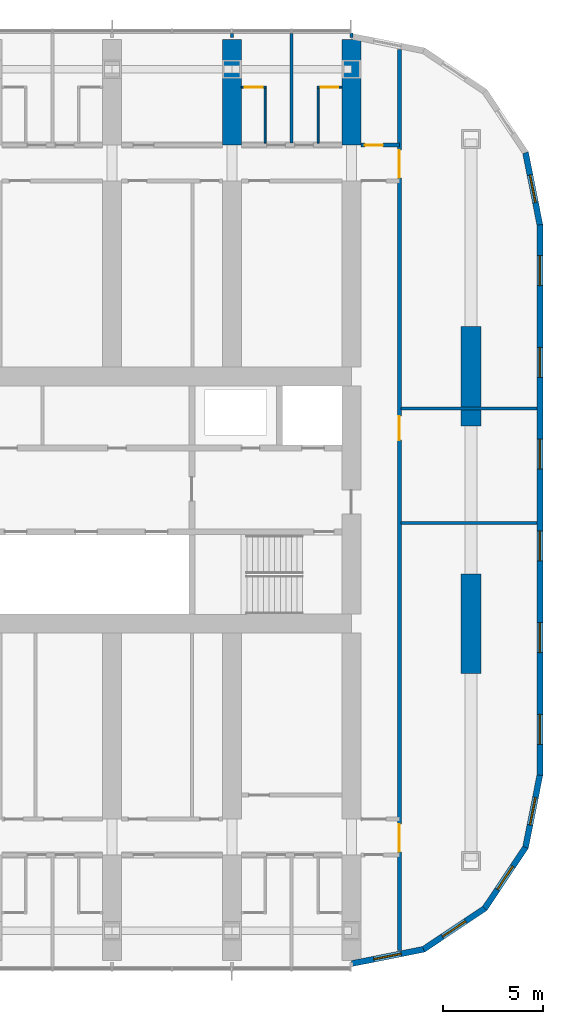
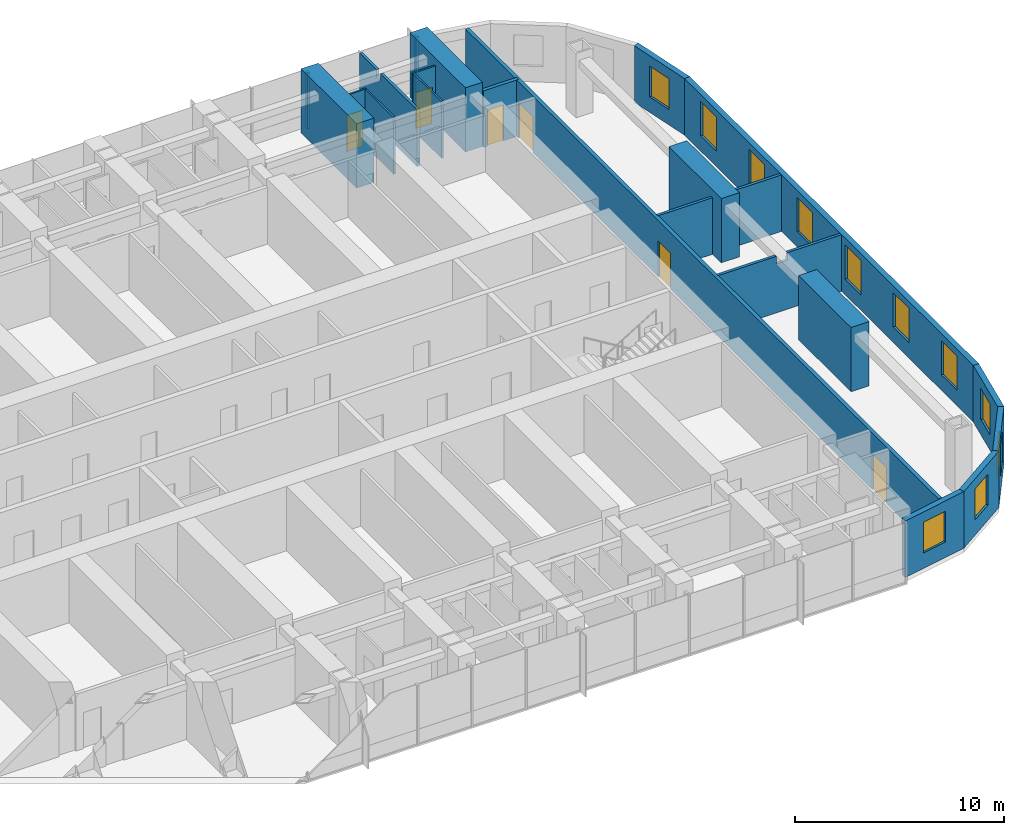
# One storey, part 15 of 21: 21 walls, 11 windows, 6 doors, 17 openings.
"""IFC4 building model written with IfcOpenShell, lengths in metres."""

from ifc_helpers import new_model, si_unit, direction, frame, frame_2d, origin, place, context, subcontext, project, spatial, polyline, rectangle, outline, extrude, material, layer, layer_set, type_object, element, fill, save


model = new_model("IFC4")

# Units and contexts
model_context = context("Model", 3, precision=1e-05, world=origin(), true_north=direction((0.0, 1.0)))
body_context = subcontext(model_context, "Body", "Model", "MODEL_VIEW")
ifc_project = project(units=[si_unit("LENGTHUNIT", "METRE"), si_unit("AREAUNIT", "SQUARE_METRE"), si_unit("VOLUMEUNIT", "CUBIC_METRE"), si_unit("PLANEANGLEUNIT", "RADIAN"), si_unit("MASSUNIT", "GRAM", prefix="KILO")], contexts=[model_context])

# Site, building, storey
site_placement = place(None, origin())
site = spatial("IfcSite", under=ifc_project, at=site_placement, CompositionType="ELEMENT")
building_placement = place(site_placement, origin())
building = spatial("IfcBuilding", under=site, at=building_placement, Name="Orbita Commons", CompositionType="ELEMENT")
storey_placement = place(building_placement, frame((0.0, 0.0, 110.64990234375)))
storey = spatial("IfcBuildingStorey", under=building, at=storey_placement, Name="L27", CompositionType="ELEMENT", Elevation=110.64990234375)

# Wall, opening, door
ifc_material_1 = material(Name="Concrete blockwork", Category="masonry")
ifc_layer_1 = layer(ifc_material_1, 0.199951171875)
ifc_layer_set_1 = layer_set([ifc_layer_1], Name="Concrete blockwork")
wall_type_1 = type_object("IfcWallType", Name="Corridor wall 200 blockwork", PredefinedType="SOLIDWALL", material=ifc_layer_set_1)
wall_1_placement = place(storey_placement, frame((66.47509765625, 49.800048828125, 0.0), z_axis=(0.0, 0.0, 1.0), x_axis=(1.0, 0.0, 0.0)))
wall_1 = element("IfcWall", 1, at=wall_1_placement, inside=storey, type_object=wall_type_1, Name="Corridor wall 200 blockwork L27", PredefinedType="SOLIDWALL", context=body_context, shape_type="SweptSolid", body=[
    extrude(rectangle(XDim=1.9248046875, YDim=0.199951171875, at=frame_2d((0.96240234375, 0.0))), origin(), (0.0, 0.0, 1.0), 3.300048828125),
])
opening_1_placement = place(wall_1_placement, frame((0.199951171875, 0.0, 0.0)))
opening_1 = element("IfcOpeningElement", 2, at=opening_1_placement, cuts=wall_1, Name="Opening D05", PredefinedType="OPENING", context=body_context, shape_type="SweptSolid", body=[
    extrude(rectangle(XDim=0.89990234375, YDim=2.10009765625, at=frame_2d((0.449951171875, 1.050048828125))), frame((0.0, 0.10986328125, 0.0), z_axis=(0.0, -1.0, 0.0), x_axis=(1.0, 0.0, 0.0)), (0.0, 0.0, 1.0), 0.219970703125),
])
ifc_material_2 = material(Name="Steel-faced fire door leaf", Category="steel")
door_type_1 = type_object("IfcDoorType", Name="Service door 20 min 900x2100", OperationType="SINGLE_SWING_LEFT", PredefinedType="DOOR", material=ifc_material_2)
door_1_placement = place(opening_1_placement, origin())
door_1 = element("IfcDoor", 3, at=door_1_placement, inside=storey, type_object=door_type_1, Name="Linen store L27-KEN door", OperationType="SINGLE_SWING_LEFT", OverallHeight=2.10009765625, OverallWidth=0.89990234375, PredefinedType="DOOR", context=body_context, shape_type="SweptSolid", body=[
    extrude(rectangle(XDim=0.89990234375, YDim=2.10009765625, at=frame_2d((0.449951171875, 1.050048828125))), frame((0.0, 0.02490234375, 0.0), z_axis=(0.0, -1.0, 0.0), x_axis=(1.0, 0.0, 0.0)), (0.0, 0.0, 1.0), 0.050048828125),
])
fill(opening_1, door_1)

# Wall, openings, doors
wall_2_placement = place(storey_placement, frame((68.39990234375, 9.4052734375, 0.0), z_axis=(0.0, 0.0, 1.0), x_axis=(0.0, 1.0, 0.0)))
wall_2 = element("IfcWall", 4, at=wall_2_placement, inside=storey, type_object=wall_type_1, Name="Corridor wall 200 blockwork L27", PredefinedType="SOLIDWALL", context=body_context, shape_type="SweptSolid", body=[
    extrude(rectangle(XDim=45.189453125, YDim=0.199951171875, at=frame_2d((22.5947265625, 0.0))), origin(), (0.0, 0.0, 1.0), 3.300048828125),
])
opening_2_placement = place(wall_2_placement, frame((25.5947265625, 0.0, 0.0)))
opening_2 = element("IfcOpeningElement", 5, at=opening_2_placement, cuts=wall_2, Name="Opening D15", PredefinedType="OPENING", context=body_context, shape_type="SweptSolid", body=[
    extrude(rectangle(XDim=1.199951171875, YDim=2.10009765625, at=frame_2d((0.60009765625, 1.050048828125))), frame((0.0, 0.10986328125, 0.0), z_axis=(0.0, -1.0, 0.0), x_axis=(1.0, 0.0, 0.0)), (0.0, 0.0, 1.0), 0.219970703125),
])
opening_3_placement = place(wall_2_placement, frame((4.94482421875, 0.0, 0.0)))
opening_3 = element("IfcOpeningElement", 6, at=opening_3_placement, cuts=wall_2, Name="Opening D08", PredefinedType="OPENING", context=body_context, shape_type="SweptSolid", body=[
    extrude(rectangle(XDim=1.39990234375, YDim=2.10009765625, at=frame_2d((0.699951171875, 1.050048828125))), frame((0.0, 0.10986328125, 0.0), z_axis=(0.0, -1.0, 0.0), x_axis=(1.0, 0.0, 0.0)), (0.0, 0.0, 1.0), 0.219970703125),
])
opening_4_placement = place(wall_2_placement, frame((38.74462890625, 0.0, 0.0)))
opening_4 = element("IfcOpeningElement", 7, at=opening_4_placement, cuts=wall_2, Name="Opening D08", PredefinedType="OPENING", context=body_context, shape_type="SweptSolid", body=[
    extrude(rectangle(XDim=1.39990234375, YDim=2.10009765625, at=frame_2d((0.699951171875, 1.050048828125))), frame((0.0, 0.10986328125, 0.0), z_axis=(0.0, -1.0, 0.0), x_axis=(1.0, 0.0, 0.0)), (0.0, 0.0, 1.0), 0.219970703125),
])
ifc_material_3 = material(Name="Steel-faced fire door leaf", Category="steel")
door_type_2 = type_object("IfcDoorType", Name="Corridor door 20 min 1200x2100", OperationType="SINGLE_SWING_LEFT", PredefinedType="DOOR", material=ifc_material_3)
door_2_placement = place(opening_2_placement, origin())
door_2 = element("IfcDoor", 8, at=door_2_placement, inside=storey, type_object=door_type_2, Name="Study commons door", OperationType="SINGLE_SWING_LEFT", OverallHeight=2.10009765625, OverallWidth=1.199951171875, PredefinedType="DOOR", context=body_context, shape_type="SweptSolid", body=[
    extrude(rectangle(XDim=1.199951171875, YDim=2.10009765625, at=frame_2d((0.60009765625, 1.050048828125))), frame((0.0, 0.02490234375, 0.0), z_axis=(0.0, -1.0, 0.0), x_axis=(1.0, 0.0, 0.0)), (0.0, 0.0, 1.0), 0.050048828125),
])
fill(opening_2, door_2)
ifc_material_4 = material(Name="Steel-faced fire door leaf", Category="steel")
door_type_3 = type_object("IfcDoorType", Name="Double corridor door 20 min 1400x2100", OperationType="DOUBLE_DOOR_SINGLE_SWING", PredefinedType="DOOR", material=ifc_material_4)
door_3_placement = place(opening_3_placement, origin())
door_3 = element("IfcDoor", 9, at=door_3_placement, inside=storey, type_object=door_type_3, Name="Lounge doors", OperationType="DOUBLE_DOOR_SINGLE_SWING", OverallHeight=2.10009765625, OverallWidth=1.39990234375, PredefinedType="DOOR", context=body_context, shape_type="SweptSolid", body=[
    extrude(rectangle(XDim=1.39990234375, YDim=2.10009765625, at=frame_2d((0.699951171875, 1.050048828125))), frame((0.0, 0.02490234375, 0.0), z_axis=(0.0, -1.0, 0.0), x_axis=(1.0, 0.0, 0.0)), (0.0, 0.0, 1.0), 0.050048828125),
])
fill(opening_3, door_3)
door_4_placement = place(opening_4_placement, origin())
door_4 = element("IfcDoor", 10, at=door_4_placement, inside=storey, type_object=door_type_3, Name="Lounge doors", OperationType="DOUBLE_DOOR_SINGLE_SWING", OverallHeight=2.10009765625, OverallWidth=1.39990234375, PredefinedType="DOOR", context=body_context, shape_type="SweptSolid", body=[
    extrude(rectangle(XDim=1.39990234375, YDim=2.10009765625, at=frame_2d((0.699951171875, 1.050048828125))), frame((0.0, 0.02490234375, 0.0), z_axis=(0.0, -1.0, 0.0), x_axis=(1.0, 0.0, 0.0)), (0.0, 0.0, 1.0), 0.050048828125),
])
fill(opening_4, door_4)

# Walls
ifc_material_5 = material(Name="Concrete C50/60", Category="concrete")
ifc_layer_2 = layer(ifc_material_5, 0.949951171875)
ifc_layer_set_2 = layer_set([ifc_layer_2], Name="Concrete C50/60")
wall_type_2 = type_object("IfcWallType", Name="Cross wall 950 C50/60", PredefinedType="SHEAR", material=ifc_layer_set_2)
for number, where, z_axis, x_axis, name in (
    (11, (60.0, 49.800048828125, 0.0), (0.0, 0.0, 1.0), (0.0, 1.0, 0.0), "Cross wall 11 north outer L27"),
    (12, (66.0, 49.800048828125, 0.0), (0.0, 0.0, 1.0), (0.0, 1.0, 0.0), "Cross wall 12 north outer L27"),
):
    element("IfcWall", number, at=place(storey_placement, frame(where, z_axis=z_axis, x_axis=x_axis)), inside=storey, type_object=wall_type_2, Name=name, PredefinedType="SHEAR", context=body_context, shape_type="SweptSolid", body=[
        extrude(rectangle(XDim=5.300048828125, YDim=0.949951171875, at=frame_2d((2.64990234375, 0.0))), origin(), (0.0, 0.0, 1.0), 3.75),
    ])

# Wall, opening, door
ifc_material_6 = material(Name="Moisture-resistant plasterboard on steel studs", Category="steel")
ifc_layer_3 = layer(ifc_material_6, 0.10009765625)
ifc_layer_set_3 = layer_set([ifc_layer_3], Name="Moisture-resistant plasterboard on steel studs")
wall_type_3 = type_object("IfcWallType", Name="En-suite partition 100", PredefinedType="PARTITIONING", material=ifc_layer_set_3)
wall_3_placement = place(storey_placement, frame((60.47509765625, 52.699951171875, 0.0), z_axis=(0.0, 0.0, 1.0), x_axis=(1.0, 0.0, 0.0)))
wall_3 = element("IfcWall", 13, at=wall_3_placement, inside=storey, type_object=wall_type_3, Name="En-suite partition 100 L27", PredefinedType="PARTITIONING", context=body_context, shape_type="SweptSolid", body=[
    extrude(rectangle(XDim=1.25, YDim=0.10009765625, at=frame_2d((0.625, 0.0))), origin(), (0.0, 0.0, 1.0), 3.300048828125),
])
opening_5_placement = place(wall_3_placement, frame((0.175048828125, 0.0, 0.0)))
opening_5 = element("IfcOpeningElement", 14, at=opening_5_placement, cuts=wall_3, Name="Opening D09", PredefinedType="OPENING", context=body_context, shape_type="SweptSolid", body=[
    extrude(rectangle(XDim=0.89990234375, YDim=2.10009765625, at=frame_2d((0.449951171875, 1.050048828125))), frame((0.0, 0.06005859375, 0.0), z_axis=(0.0, -1.0, 0.0), x_axis=(1.0, 0.0, 0.0)), (0.0, 0.0, 1.0), 0.1201171875),
])
ifc_material_7 = material(Name="Laminated timber door leaf", Category="wood")
door_type_4 = type_object("IfcDoorType", Name="En-suite door 900x2100", OperationType="SINGLE_SWING_RIGHT", PredefinedType="DOOR", material=ifc_material_7)
door_5_placement = place(opening_5_placement, origin())
door_5 = element("IfcDoor", 15, at=door_5_placement, inside=storey, type_object=door_type_4, Name="En-suite L27-N16 door", OperationType="SINGLE_SWING_RIGHT", OverallHeight=2.10009765625, OverallWidth=0.89990234375, PredefinedType="DOOR", context=body_context, shape_type="SweptSolid", body=[
    extrude(rectangle(XDim=0.89990234375, YDim=2.10009765625, at=frame_2d((0.449951171875, 1.050048828125))), frame((0.0, 0.02490234375, 0.0), z_axis=(0.0, -1.0, 0.0), x_axis=(1.0, 0.0, 0.0)), (0.0, 0.0, 1.0), 0.050048828125),
])
fill(opening_5, door_5)

# Wall
wall_4_placement = place(storey_placement, frame((61.675048828125, 52.64990234375, 0.0), z_axis=(0.0, 0.0, 1.0), x_axis=(0.0, -1.0, 0.0)))
element("IfcWall", 16, at=wall_4_placement, inside=storey, type_object=wall_type_3, Name="En-suite partition 100 L27", PredefinedType="PARTITIONING", context=body_context, shape_type="SweptSolid", body=[
    extrude(outline(polyline([(0.0, 0.0), (2.75, 0.0), (2.75, 2.900146484375), (2.701904296875, 2.900146484375), (2.699951171875, 3.300048828125), (0.0, 3.300048828125), (0.0, 0.0)])), frame((0.0, 0.050048828125, 0.0), z_axis=(0.0, -1.0, 0.0), x_axis=(1.0, 0.0, 0.0)), (0.0, 0.0, 1.0), 0.10009765625),
])

# Wall, opening, door
wall_5_placement = place(storey_placement, frame((64.27490234375, 52.699951171875, 0.0), z_axis=(0.0, 0.0, 1.0), x_axis=(1.0, 0.0, 0.0)))
wall_5 = element("IfcWall", 17, at=wall_5_placement, inside=storey, type_object=wall_type_3, Name="En-suite partition 100 L27", PredefinedType="PARTITIONING", context=body_context, shape_type="SweptSolid", body=[
    extrude(rectangle(XDim=1.25, YDim=0.10009765625, at=frame_2d((0.625, 0.0))), origin(), (0.0, 0.0, 1.0), 3.300048828125),
])
opening_6_placement = place(wall_5_placement, frame((0.175048828125, 0.0, 0.0)))
opening_6 = element("IfcOpeningElement", 18, at=opening_6_placement, cuts=wall_5, Name="Opening D09", PredefinedType="OPENING", context=body_context, shape_type="SweptSolid", body=[
    extrude(rectangle(XDim=0.89990234375, YDim=2.10009765625, at=frame_2d((0.449951171875, 1.050048828125))), frame((0.0, 0.06005859375, 0.0), z_axis=(0.0, -1.0, 0.0), x_axis=(1.0, 0.0, 0.0)), (0.0, 0.0, 1.0), 0.1201171875),
])
door_6_placement = place(opening_6_placement, origin())
door_6 = element("IfcDoor", 19, at=door_6_placement, inside=storey, type_object=door_type_4, Name="En-suite L27-N17 door", OperationType="SINGLE_SWING_RIGHT", OverallHeight=2.10009765625, OverallWidth=0.89990234375, PredefinedType="DOOR", context=body_context, shape_type="SweptSolid", body=[
    extrude(rectangle(XDim=0.89990234375, YDim=2.10009765625, at=frame_2d((0.449951171875, 1.050048828125))), frame((0.0, 0.02490234375, 0.0), z_axis=(0.0, -1.0, 0.0), x_axis=(1.0, 0.0, 0.0)), (0.0, 0.0, 1.0), 0.050048828125),
])
fill(opening_6, door_6)

# Walls
wall_6_placement = place(storey_placement, frame((64.324951171875, 52.64990234375, 0.0), z_axis=(0.0, 0.0, 1.0), x_axis=(0.0, -1.0, 0.0)))
element("IfcWall", 20, at=wall_6_placement, inside=storey, type_object=wall_type_3, Name="En-suite partition 100 L27", PredefinedType="PARTITIONING", context=body_context, shape_type="SweptSolid", body=[
    extrude(outline(polyline([(0.0, 0.0), (2.75, 0.0), (2.75, 2.900146484375), (2.701904296875, 2.900146484375), (2.699951171875, 3.300048828125), (0.0, 3.300048828125), (0.0, 0.0)])), frame((0.0, 0.050048828125, 0.0), z_axis=(0.0, -1.0, 0.0), x_axis=(1.0, 0.0, 0.0)), (0.0, 0.0, 1.0), 0.10009765625),
])
ifc_material_8 = material(Name="Concrete C50/60", Category="concrete")
ifc_layer_4 = layer(ifc_material_8, 1.0)
ifc_layer_set_4 = layer_set([ifc_layer_4], Name="Concrete C50/60")
wall_type_4 = type_object("IfcWallType", Name="End pier 1000x5000 C50/60", PredefinedType="SHEAR", material=ifc_layer_set_4)
for number, where, z_axis, x_axis, name in (
    (21, (72.0, 23.300048828125, 0.0), (0.0, 0.0, 1.0), (0.0, 1.0, 0.0), "End pier 13/C L27"),
    (22, (72.0, 35.699951171875, 0.0), (0.0, 0.0, 1.0), (0.0, 1.0, 0.0), "End pier 13/D L27"),
):
    element("IfcWall", number, at=place(storey_placement, frame(where, z_axis=z_axis, x_axis=x_axis)), inside=storey, type_object=wall_type_4, Name=name, PredefinedType="SHEAR", context=body_context, shape_type="SweptSolid", body=[
        extrude(rectangle(XDim=5.0, YDim=1.0, at=frame_2d((2.5, 0.0))), origin(), (0.0, 0.0, 1.0), 3.75),
    ])
ifc_material_9 = material(Name="Gypsum plasterboard on steel studs", Category="steel")
ifc_layer_5 = layer(ifc_material_9, 0.14990234375)
ifc_layer_set_5 = layer_set([ifc_layer_5], Name="Gypsum plasterboard on steel studs")
wall_type_5 = type_object("IfcWallType", Name="Partition 150 plasterboard", PredefinedType="PARTITIONING", material=ifc_layer_set_5)
wall_7_placement = place(storey_placement, frame((68.47509765625, 30.85009765625, 0.0), z_axis=(0.0, 0.0, 1.0), x_axis=(1.0, 0.0, 0.0)))
element("IfcWall", 23, at=wall_7_placement, inside=storey, type_object=wall_type_5, Name="Partition 150 plasterboard L27", PredefinedType="PARTITIONING", context=body_context, shape_type="SweptSolid", body=[
    extrude(outline(polyline([(0.0, 0.0), (6.81982421875, 0.0), (6.820068359375, 3.300048828125), (3.826904296875, 3.300048828125), (3.824951171875, 2.85009765625), (3.22705078125, 2.85009765625), (3.22509765625, 3.300048828125), (0.0, 3.300048828125), (0.0, 0.0)])), frame((0.0, 0.074951171875, 0.0), z_axis=(0.0, -1.0, 0.0), x_axis=(1.0, 0.0, 0.0)), (0.0, 0.0, 1.0), 0.14990234375),
])
wall_8_placement = place(storey_placement, frame((68.47509765625, 36.60009765625, 0.0), z_axis=(0.0, 0.0, 1.0), x_axis=(1.0, 0.0, 0.0)))
element("IfcWall", 24, at=wall_8_placement, inside=storey, type_object=wall_type_5, Name="Partition 150 plasterboard L27", PredefinedType="PARTITIONING", context=body_context, shape_type="SweptSolid", body=[
    extrude(rectangle(XDim=6.81982421875, YDim=0.14990234375, at=frame_2d((3.409912109375, 0.0))), origin(), (0.0, 0.0, 1.0), 3.300048828125),
])
wall_9_placement = place(storey_placement, frame((60.0, 55.199951171875, 0.0), z_axis=(0.0, 0.0, 1.0), x_axis=(0.0, 1.0, 0.0)))
element("IfcWall", 25, at=wall_9_placement, inside=storey, type_object=wall_type_5, Name="Partition 150 plasterboard L27", PredefinedType="PARTITIONING", context=body_context, shape_type="SweptSolid", body=[
    extrude(rectangle(XDim=0.18994140625, YDim=0.14990234375, at=frame_2d((0.094970703125, 0.0))), origin(), (0.0, 0.0, 1.0), 3.300048828125),
])
wall_10_placement = place(storey_placement, frame((66.0, 55.199951171875, 0.0), z_axis=(0.0, 0.0, 1.0), x_axis=(0.0, 1.0, 0.0)))
element("IfcWall", 26, at=wall_10_placement, inside=storey, type_object=wall_type_5, Name="Partition 150 plasterboard L27", PredefinedType="PARTITIONING", context=body_context, shape_type="SweptSolid", body=[
    extrude(rectangle(XDim=0.219970703125, YDim=0.14990234375, at=frame_2d((0.10986328125, 0.0))), origin(), (0.0, 0.0, 1.0), 3.300048828125),
])
ifc_material_10 = material(Name="Gypsum plasterboard on steel studs", Category="steel")
ifc_layer_6 = layer(ifc_material_10, 0.14990234375)
ifc_layer_set_6 = layer_set([ifc_layer_6], Name="Gypsum plasterboard on steel studs")
wall_type_6 = type_object("IfcWallType", Name="Party wall 150 plasterboard", PredefinedType="PARTITIONING", material=ifc_layer_set_6)
wall_11_placement = place(storey_placement, frame((63.0, 55.389892578125, 0.0), z_axis=(0.0, 0.0, 1.0), x_axis=(0.0, -1.0, 0.0)))
element("IfcWall", 27, at=wall_11_placement, inside=storey, type_object=wall_type_6, Name="Party wall 150 plasterboard L27", PredefinedType="PARTITIONING", context=body_context, shape_type="SweptSolid", body=[
    extrude(outline(polyline([(0.0, 0.0), (5.489990234375, 0.0), (5.489990234375, 2.900146484375), (5.44189453125, 2.900146484375), (5.43994140625, 3.300048828125), (1.991943359375, 3.300048828125), (1.989990234375, 2.900146484375), (1.592041015625, 2.900146484375), (1.590087890625, 3.300048828125), (0.0, 3.300048828125), (0.0, 0.0)])), frame((0.0, 0.074951171875, 0.0), z_axis=(0.0, -1.0, 0.0), x_axis=(1.0, 0.0, 0.0)), (0.0, 0.0, 1.0), 0.14990234375),
])

# Wall, openings, windows
ifc_material_11 = material(Name="Precast concrete C40/50, white board-marked finish", Category="concrete")
ifc_layer_7 = layer(ifc_material_11, 0.300048828125)
ifc_layer_set_7 = layer_set([ifc_layer_7], Name="Precast concrete C40/50, white board-marked finish")
wall_type_7 = type_object("IfcWallType", Name="Precast concrete end shield 300", PredefinedType="SOLIDWALL", material=ifc_layer_set_7)
wall_12_placement = place(storey_placement, frame((75.449951171875, 18.199951171875, 0.0), z_axis=(0.0, 0.0, 1.0), x_axis=(0.0, 1.0, 0.0)))
wall_12 = element("IfcWall", 28, at=wall_12_placement, inside=storey, type_object=wall_type_7, Name="End shield E L27", PredefinedType="SOLIDWALL", context=body_context, shape_type="SweptSolid", body=[
    extrude(outline(polyline([(-0.014892578125, -0.14990234375), (27.614990234375, -0.14990234375), (27.585205078125, 0.14990234375), (0.014892578125, 0.14990234375), (-0.014892578125, -0.14990234375)])), origin(), (0.0, 0.0, 1.0), 3.300048828125),
])
opening_7_placement = place(wall_12_placement, frame((1.550048828125, 0.0, 0.89990234375)))
opening_7 = element("IfcOpeningElement", 29, at=opening_7_placement, cuts=wall_12, Name="Opening W01", PredefinedType="OPENING", context=body_context, shape_type="SweptSolid", body=[
    extrude(rectangle(XDim=1.5, YDim=2.0, at=frame_2d((0.75, 1.0))), frame((0.0, 0.159912109375, 0.0), z_axis=(0.0, -1.0, 0.0), x_axis=(1.0, 0.0, 0.0)), (0.0, 0.0, 1.0), 0.320068359375),
])
opening_8_placement = place(wall_12_placement, frame((6.14990234375, 0.0, 0.89990234375)))
opening_8 = element("IfcOpeningElement", 30, at=opening_8_placement, cuts=wall_12, Name="Opening W01", PredefinedType="OPENING", context=body_context, shape_type="SweptSolid", body=[
    extrude(rectangle(XDim=1.5, YDim=2.0, at=frame_2d((0.75, 1.0))), frame((0.0, 0.159912109375, 0.0), z_axis=(0.0, -1.0, 0.0), x_axis=(1.0, 0.0, 0.0)), (0.0, 0.0, 1.0), 0.320068359375),
])
opening_9_placement = place(wall_12_placement, frame((10.75, 0.0, 0.89990234375)))
opening_9 = element("IfcOpeningElement", 31, at=opening_9_placement, cuts=wall_12, Name="Opening W01", PredefinedType="OPENING", context=body_context, shape_type="SweptSolid", body=[
    extrude(rectangle(XDim=1.5, YDim=2.0, at=frame_2d((0.75, 1.0))), frame((0.0, 0.159912109375, 0.0), z_axis=(0.0, -1.0, 0.0), x_axis=(1.0, 0.0, 0.0)), (0.0, 0.0, 1.0), 0.320068359375),
])
opening_10_placement = place(wall_12_placement, frame((15.35009765625, 0.0, 0.89990234375)))
opening_10 = element("IfcOpeningElement", 32, at=opening_10_placement, cuts=wall_12, Name="Opening W01", PredefinedType="OPENING", context=body_context, shape_type="SweptSolid", body=[
    extrude(rectangle(XDim=1.5, YDim=2.0, at=frame_2d((0.75, 1.0))), frame((0.0, 0.159912109375, 0.0), z_axis=(0.0, -1.0, 0.0), x_axis=(1.0, 0.0, 0.0)), (0.0, 0.0, 1.0), 0.320068359375),
])
opening_11_placement = place(wall_12_placement, frame((19.949951171875, 0.0, 0.89990234375)))
opening_11 = element("IfcOpeningElement", 33, at=opening_11_placement, cuts=wall_12, Name="Opening W01", PredefinedType="OPENING", context=body_context, shape_type="SweptSolid", body=[
    extrude(rectangle(XDim=1.5, YDim=2.0, at=frame_2d((0.75, 1.0))), frame((0.0, 0.159912109375, 0.0), z_axis=(0.0, -1.0, 0.0), x_axis=(1.0, 0.0, 0.0)), (0.0, 0.0, 1.0), 0.320068359375),
])
opening_12_placement = place(wall_12_placement, frame((24.550048828125, 0.0, 0.89990234375)))
opening_12 = element("IfcOpeningElement", 34, at=opening_12_placement, cuts=wall_12, Name="Opening W01", PredefinedType="OPENING", context=body_context, shape_type="SweptSolid", body=[
    extrude(rectangle(XDim=1.5, YDim=2.0, at=frame_2d((0.75, 1.0))), frame((0.0, 0.159912109375, 0.0), z_axis=(0.0, -1.0, 0.0), x_axis=(1.0, 0.0, 0.0)), (0.0, 0.0, 1.0), 0.320068359375),
])
ifc_material_12 = material(Name="Aluminium frame, clear double glazing", Category="aluminium")
window_type_1 = type_object("IfcWindowType", Name="Deep-set window 1500x2000", PartitioningType="SINGLE_PANEL", PredefinedType="WINDOW", material=ifc_material_12)
window_1_placement = place(opening_7_placement, origin())
window_1 = element("IfcWindow", 35, at=window_1_placement, inside=storey, type_object=window_type_1, Name="Window L27-E 1", OverallHeight=2.0, OverallWidth=1.5, PartitioningType="SINGLE_PANEL", PredefinedType="WINDOW", context=body_context, shape_type="SweptSolid", body=[
    extrude(rectangle(XDim=1.5, YDim=2.0, at=frame_2d((0.75, 1.0))), frame((0.0, 0.030029296875, 0.0), z_axis=(0.0, -1.0, 0.0), x_axis=(1.0, 0.0, 0.0)), (0.0, 0.0, 1.0), 0.06005859375),
])
fill(opening_7, window_1)
window_2_placement = place(opening_8_placement, origin())
window_2 = element("IfcWindow", 36, at=window_2_placement, inside=storey, type_object=window_type_1, Name="Window L27-E 2", OverallHeight=2.0, OverallWidth=1.5, PartitioningType="SINGLE_PANEL", PredefinedType="WINDOW", context=body_context, shape_type="SweptSolid", body=[
    extrude(rectangle(XDim=1.5, YDim=2.0, at=frame_2d((0.75, 1.0))), frame((0.0, 0.030029296875, 0.0), z_axis=(0.0, -1.0, 0.0), x_axis=(1.0, 0.0, 0.0)), (0.0, 0.0, 1.0), 0.06005859375),
])
fill(opening_8, window_2)
window_3_placement = place(opening_9_placement, origin())
window_3 = element("IfcWindow", 37, at=window_3_placement, inside=storey, type_object=window_type_1, Name="Window L27-E 3", OverallHeight=2.0, OverallWidth=1.5, PartitioningType="SINGLE_PANEL", PredefinedType="WINDOW", context=body_context, shape_type="SweptSolid", body=[
    extrude(rectangle(XDim=1.5, YDim=2.0, at=frame_2d((0.75, 1.0))), frame((0.0, 0.030029296875, 0.0), z_axis=(0.0, -1.0, 0.0), x_axis=(1.0, 0.0, 0.0)), (0.0, 0.0, 1.0), 0.06005859375),
])
fill(opening_9, window_3)
window_4_placement = place(opening_10_placement, origin())
window_4 = element("IfcWindow", 38, at=window_4_placement, inside=storey, type_object=window_type_1, Name="Window L27-E 4", OverallHeight=2.0, OverallWidth=1.5, PartitioningType="SINGLE_PANEL", PredefinedType="WINDOW", context=body_context, shape_type="SweptSolid", body=[
    extrude(rectangle(XDim=1.5, YDim=2.0, at=frame_2d((0.75, 1.0))), frame((0.0, 0.030029296875, 0.0), z_axis=(0.0, -1.0, 0.0), x_axis=(1.0, 0.0, 0.0)), (0.0, 0.0, 1.0), 0.06005859375),
])
fill(opening_10, window_4)
window_5_placement = place(opening_11_placement, origin())
window_5 = element("IfcWindow", 39, at=window_5_placement, inside=storey, type_object=window_type_1, Name="Window L27-E 5", OverallHeight=2.0, OverallWidth=1.5, PartitioningType="SINGLE_PANEL", PredefinedType="WINDOW", context=body_context, shape_type="SweptSolid", body=[
    extrude(rectangle(XDim=1.5, YDim=2.0, at=frame_2d((0.75, 1.0))), frame((0.0, 0.030029296875, 0.0), z_axis=(0.0, -1.0, 0.0), x_axis=(1.0, 0.0, 0.0)), (0.0, 0.0, 1.0), 0.06005859375),
])
fill(opening_11, window_5)
window_6_placement = place(opening_12_placement, origin())
window_6 = element("IfcWindow", 40, at=window_6_placement, inside=storey, type_object=window_type_1, Name="Window L27-E 6", OverallHeight=2.0, OverallWidth=1.5, PartitioningType="SINGLE_PANEL", PredefinedType="WINDOW", context=body_context, shape_type="SweptSolid", body=[
    extrude(rectangle(XDim=1.5, YDim=2.0, at=frame_2d((0.75, 1.0))), frame((0.0, 0.030029296875, 0.0), z_axis=(0.0, -1.0, 0.0), x_axis=(1.0, 0.0, 0.0)), (0.0, 0.0, 1.0), 0.06005859375),
])
fill(opening_12, window_6)

# Wall, opening, window
wall_13_placement = place(storey_placement, frame((66.0, 8.75, 0.0), z_axis=(0.0, 0.0, 1.0), x_axis=(0.980791473772, 0.195059183267, 0.0)))
wall_13 = element("IfcWall", 41, at=wall_13_placement, inside=storey, type_object=wall_type_7, Name="End shield SE chord 1 L27", PredefinedType="SOLIDWALL", context=body_context, shape_type="SweptSolid", body=[
    extrude(outline(polyline([(-0.02978515625, -0.14990234375), (3.717041015625, -0.14990234375), (3.657470703125, 0.14990234375), (0.02978515625, 0.14990234375), (-0.02978515625, -0.14990234375)])), origin(), (0.0, 0.0, 1.0), 3.300048828125),
])
opening_13_placement = place(wall_13_placement, frame((1.1435546875, 0.0, 0.89990234375)))
opening_13 = element("IfcOpeningElement", 42, at=opening_13_placement, cuts=wall_13, Name="Opening W02", PredefinedType="OPENING", context=body_context, shape_type="SweptSolid", body=[
    extrude(rectangle(XDim=1.39990234375, YDim=1.800048828125, at=frame_2d((0.699951171875, 0.89990234375))), frame((0.0, 0.159912109375, 0.0), z_axis=(0.0, -1.0, 0.0), x_axis=(1.0, 0.0, 0.0)), (0.0, 0.0, 1.0), 0.320068359375),
])
ifc_material_13 = material(Name="Aluminium frame, clear double glazing", Category="aluminium")
window_type_2 = type_object("IfcWindowType", Name="Deep-set window 1400x1800", PartitioningType="SINGLE_PANEL", PredefinedType="WINDOW", material=ifc_material_13)
window_7_placement = place(opening_13_placement, origin())
window_7 = element("IfcWindow", 43, at=window_7_placement, inside=storey, type_object=window_type_2, Name="Window L27-SE0", OverallHeight=1.800048828125, OverallWidth=1.39990234375, PartitioningType="SINGLE_PANEL", PredefinedType="WINDOW", context=body_context, shape_type="SweptSolid", body=[
    extrude(rectangle(XDim=1.39990234375, YDim=1.800048828125, at=frame_2d((0.699951171875, 0.89990234375))), frame((0.0, 0.030029296875, 0.0), z_axis=(0.0, -1.0, 0.0), x_axis=(1.0, 0.0, 0.0)), (0.0, 0.0, 1.0), 0.06005859375),
])
fill(opening_13, window_7)

wall_14_placement = place(storey_placement, frame((69.616455078125, 9.46923828125, 0.0), z_axis=(0.0, 0.0, 1.0), x_axis=(0.831448786846, 0.555601399253, 0.0)))
wall_14 = element("IfcWall", 44, at=wall_14_placement, inside=storey, type_object=wall_type_7, Name="End shield SE chord 2 L27", PredefinedType="SOLIDWALL", context=body_context, shape_type="SweptSolid", body=[
    extrude(outline(polyline([(-0.02978515625, -0.14990234375), (3.717041015625, -0.14990234375), (3.657470703125, 0.14990234375), (0.02978515625, 0.14990234375), (-0.02978515625, -0.14990234375)])), origin(), (0.0, 0.0, 1.0), 3.300048828125),
])
opening_14_placement = place(wall_14_placement, frame((1.1435546875, 0.0, 0.89990234375)))
opening_14 = element("IfcOpeningElement", 45, at=opening_14_placement, cuts=wall_14, Name="Opening W02", PredefinedType="OPENING", context=body_context, shape_type="SweptSolid", body=[
    extrude(rectangle(XDim=1.39990234375, YDim=1.800048828125, at=frame_2d((0.699951171875, 0.89990234375))), frame((0.0, 0.159912109375, 0.0), z_axis=(0.0, -1.0, 0.0), x_axis=(1.0, 0.0, 0.0)), (0.0, 0.0, 1.0), 0.320068359375),
])
window_8_placement = place(opening_14_placement, origin())
window_8 = element("IfcWindow", 46, at=window_8_placement, inside=storey, type_object=window_type_2, Name="Window L27-SE1", OverallHeight=1.800048828125, OverallWidth=1.39990234375, PartitioningType="SINGLE_PANEL", PredefinedType="WINDOW", context=body_context, shape_type="SweptSolid", body=[
    extrude(rectangle(XDim=1.39990234375, YDim=1.800048828125, at=frame_2d((0.699951171875, 0.89990234375))), frame((0.0, 0.030029296875, 0.0), z_axis=(0.0, -1.0, 0.0), x_axis=(1.0, 0.0, 0.0)), (0.0, 0.0, 1.0), 0.06005859375),
])
fill(opening_14, window_8)

wall_15_placement = place(storey_placement, frame((72.68212890625, 11.517822265625, 0.0), z_axis=(0.0, 0.0, 1.0), x_axis=(0.555601399253, 0.831448786846, 0.0)))
wall_15 = element("IfcWall", 47, at=wall_15_placement, inside=storey, type_object=wall_type_7, Name="End shield SE chord 3 L27", PredefinedType="SOLIDWALL", context=body_context, shape_type="SweptSolid", body=[
    extrude(outline(polyline([(-0.02978515625, -0.14990234375), (3.717041015625, -0.14990234375), (3.657470703125, 0.14990234375), (0.02978515625, 0.14990234375), (-0.02978515625, -0.14990234375)])), origin(), (0.0, 0.0, 1.0), 3.300048828125),
])
opening_15_placement = place(wall_15_placement, frame((1.1435546875, 0.0, 0.89990234375)))
opening_15 = element("IfcOpeningElement", 48, at=opening_15_placement, cuts=wall_15, Name="Opening W02", PredefinedType="OPENING", context=body_context, shape_type="SweptSolid", body=[
    extrude(rectangle(XDim=1.39990234375, YDim=1.800048828125, at=frame_2d((0.699951171875, 0.89990234375))), frame((0.0, 0.159912109375, 0.0), z_axis=(0.0, -1.0, 0.0), x_axis=(1.0, 0.0, 0.0)), (0.0, 0.0, 1.0), 0.320068359375),
])
window_9_placement = place(opening_15_placement, origin())
window_9 = element("IfcWindow", 49, at=window_9_placement, inside=storey, type_object=window_type_2, Name="Window L27-SE2", OverallHeight=1.800048828125, OverallWidth=1.39990234375, PartitioningType="SINGLE_PANEL", PredefinedType="WINDOW", context=body_context, shape_type="SweptSolid", body=[
    extrude(rectangle(XDim=1.39990234375, YDim=1.800048828125, at=frame_2d((0.699951171875, 0.89990234375))), frame((0.0, 0.030029296875, 0.0), z_axis=(0.0, -1.0, 0.0), x_axis=(1.0, 0.0, 0.0)), (0.0, 0.0, 1.0), 0.06005859375),
])
fill(opening_15, window_9)

wall_16_placement = place(storey_placement, frame((74.730712890625, 14.58349609375, 0.0), z_axis=(0.0, 0.0, 1.0), x_axis=(0.195059183267, 0.980791473772, 0.0)))
wall_16 = element("IfcWall", 50, at=wall_16_placement, inside=storey, type_object=wall_type_7, Name="End shield SE chord 4 L27", PredefinedType="SOLIDWALL", context=body_context, shape_type="SweptSolid", body=[
    extrude(outline(polyline([(-0.02978515625, -0.14990234375), (3.7021484375, -0.14990234375), (3.67236328125, 0.14990234375), (0.02978515625, 0.14990234375), (-0.02978515625, -0.14990234375)])), origin(), (0.0, 0.0, 1.0), 3.300048828125),
])
opening_16_placement = place(wall_16_placement, frame((1.1435546875, 0.0, 0.89990234375)))
opening_16 = element("IfcOpeningElement", 51, at=opening_16_placement, cuts=wall_16, Name="Opening W02", PredefinedType="OPENING", context=body_context, shape_type="SweptSolid", body=[
    extrude(rectangle(XDim=1.39990234375, YDim=1.800048828125, at=frame_2d((0.699951171875, 0.89990234375))), frame((0.0, 0.159912109375, 0.0), z_axis=(0.0, -1.0, 0.0), x_axis=(1.0, 0.0, 0.0)), (0.0, 0.0, 1.0), 0.320068359375),
])
window_10_placement = place(opening_16_placement, origin())
window_10 = element("IfcWindow", 52, at=window_10_placement, inside=storey, type_object=window_type_2, Name="Window L27-SE3", OverallHeight=1.800048828125, OverallWidth=1.39990234375, PartitioningType="SINGLE_PANEL", PredefinedType="WINDOW", context=body_context, shape_type="SweptSolid", body=[
    extrude(rectangle(XDim=1.39990234375, YDim=1.800048828125, at=frame_2d((0.699951171875, 0.89990234375))), frame((0.0, 0.030029296875, 0.0), z_axis=(0.0, -1.0, 0.0), x_axis=(1.0, 0.0, 0.0)), (0.0, 0.0, 1.0), 0.06005859375),
])
fill(opening_16, window_10)

wall_17_placement = place(storey_placement, frame((75.449951171875, 45.800048828125, 0.0), z_axis=(0.0, 0.0, 1.0), x_axis=(-0.195059183267, 0.980791473772, 0.0)))
wall_17 = element("IfcWall", 53, at=wall_17_placement, inside=storey, type_object=wall_type_7, Name="End shield NE chord 1 L27", PredefinedType="SOLIDWALL", context=body_context, shape_type="SweptSolid", body=[
    extrude(outline(polyline([(-0.014892578125, -0.14990234375), (3.717041015625, -0.14990234375), (3.657470703125, 0.14990234375), (0.014892578125, 0.14990234375), (-0.014892578125, -0.14990234375)])), origin(), (0.0, 0.0, 1.0), 3.300048828125),
])
opening_17_placement = place(wall_17_placement, frame((1.1435546875, 0.0, 0.89990234375)))
opening_17 = element("IfcOpeningElement", 54, at=opening_17_placement, cuts=wall_17, Name="Opening W02", PredefinedType="OPENING", context=body_context, shape_type="SweptSolid", body=[
    extrude(rectangle(XDim=1.39990234375, YDim=1.800048828125, at=frame_2d((0.699951171875, 0.89990234375))), frame((0.0, 0.159912109375, 0.0), z_axis=(0.0, -1.0, 0.0), x_axis=(1.0, 0.0, 0.0)), (0.0, 0.0, 1.0), 0.320068359375),
])
window_11_placement = place(opening_17_placement, origin())
window_11 = element("IfcWindow", 55, at=window_11_placement, inside=storey, type_object=window_type_2, Name="Window L27-NE0", OverallHeight=1.800048828125, OverallWidth=1.39990234375, PartitioningType="SINGLE_PANEL", PredefinedType="WINDOW", context=body_context, shape_type="SweptSolid", body=[
    extrude(rectangle(XDim=1.39990234375, YDim=1.800048828125, at=frame_2d((0.699951171875, 0.89990234375))), frame((0.0, 0.030029296875, 0.0), z_axis=(0.0, -1.0, 0.0), x_axis=(1.0, 0.0, 0.0)), (0.0, 0.0, 1.0), 0.06005859375),
])
fill(opening_17, window_11)

save(model, "model.ifc")
